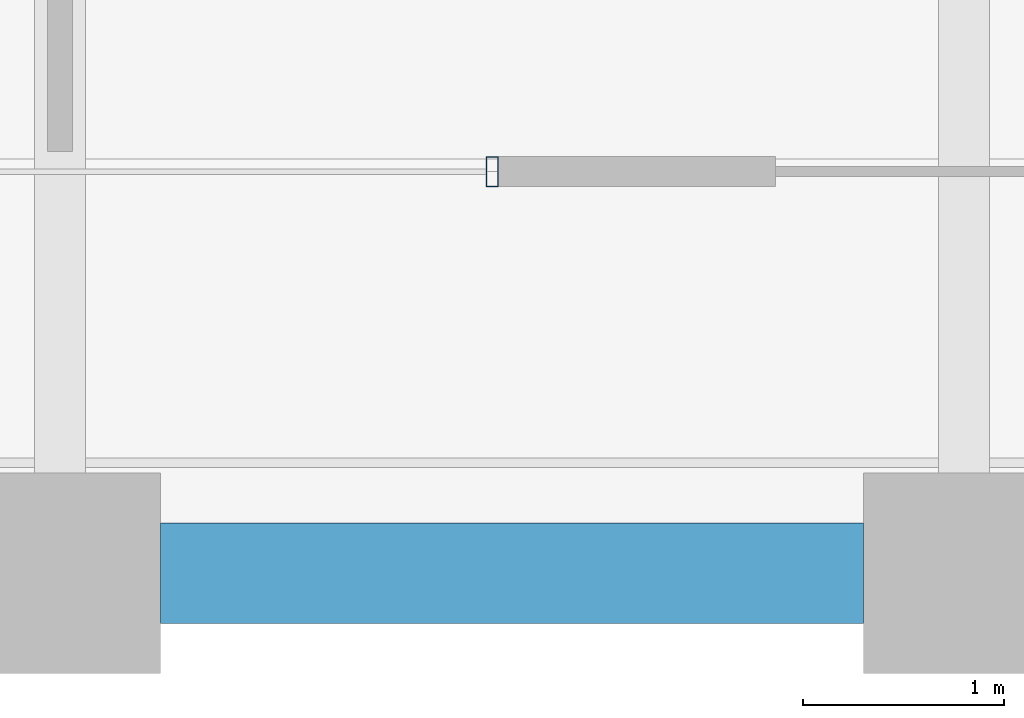
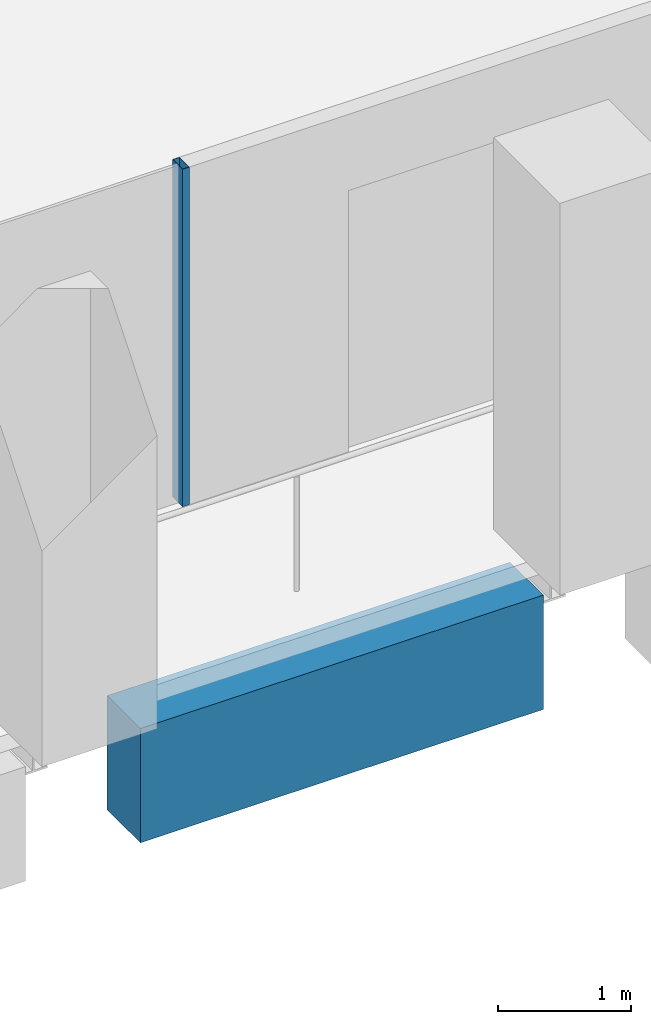
# One storey, part 7 of 47: 1 beam, 1 member, 1 element without a shape of its own.
"""IFC4 building model written with IfcOpenShell, lengths in metres."""

from ifc_helpers import new_model, si_unit, direction, frame, origin, origin_2d, place, context, subcontext, project, spatial, rectangle, hollow_rectangle, extrude, material, material_profile, profile_set, type_object, element, aggregate, save


model = new_model("IFC4")

# Units and contexts
model_context = context("Model", 3, precision=1e-05, world=origin(), true_north=direction((0.0, 1.0)))
body_context = subcontext(model_context, "Body", "Model", "MODEL_VIEW")
ifc_project = project(units=[si_unit("LENGTHUNIT", "METRE"), si_unit("AREAUNIT", "SQUARE_METRE"), si_unit("VOLUMEUNIT", "CUBIC_METRE"), si_unit("PLANEANGLEUNIT", "RADIAN"), si_unit("MASSUNIT", "GRAM", prefix="KILO")], contexts=[model_context])

# Site, building, storey
site_placement = place(None, origin())
site = spatial("IfcSite", under=ifc_project, at=site_placement, CompositionType="ELEMENT")
building_placement = place(site_placement, origin())
building = spatial("IfcBuilding", under=site, at=building_placement, Name="Altepetl Exchange Towers", CompositionType="ELEMENT")
storey_placement = place(building_placement, frame((0.0, 0.0, 99.199951171875)))
storey = spatial("IfcBuildingStorey", under=building, at=storey_placement, Name="L24", CompositionType="ELEMENT", Elevation=99.199951171875)

# Curtain wall, member
ifc_material_1 = material(Name="Aluminium 6063-T6 glazing", Category="aluminium")
curtain_wall_type = type_object("IfcCurtainWallType", Name="Loggia glazing system", PredefinedType="NOTDEFINED", material=ifc_material_1)
curtain_wall_placement = place(storey_placement, origin())
curtain_wall = element("IfcCurtainWall", 1, at=curtain_wall_placement, inside=storey, type_object=curtain_wall_type, Name="CW1 run", PredefinedType="NOTDEFINED")
ifc_material_2 = material(Name="Aluminium 6063-T6", Category="aluminium")
ifc_material_profile_1 = material_profile(ifc_material_2, hollow_rectangle(XDim=0.06005859375, YDim=0.14990234375, WallThickness=0.0029296875, at=origin_2d()), Name="Mullion 60x150 aluminium")
ifc_profile_set_1 = profile_set([ifc_material_profile_1], Name="Aluminium 6063-T6")
member_type = type_object("IfcMemberType", Name="Mullion 60x150 aluminium", PredefinedType="MULLION", material=ifc_profile_set_1)
member_placement = place(storey_placement, frame((47.152099609375, 29.0, 0.0)))
member = element("IfcMember", 2, at=member_placement, type_object=member_type, Name="MU1 mullion", PredefinedType="MULLION", context=body_context, shape_type="SweptSolid", body=[
    extrude(hollow_rectangle(XDim=0.06005859375, YDim=0.14990234375, WallThickness=0.0029296875, at=origin_2d()), origin(), (0.0, 0.0, 1.0), 3.10009765625),
])
aggregate(curtain_wall, [member])

# Beam
ifc_material_3 = material(Name="Concrete C50/60 precast with cantera blanca facing", Category="concrete")
ifc_material_profile_2 = material_profile(ifc_material_3, rectangle(XDim=0.5, YDim=1.050048828125, at=origin_2d()), Name="500 x 1050")
ifc_profile_set_2 = profile_set([ifc_material_profile_2], Name="Concrete C50/60 precast with cantera blanca facing")
beam_type = type_object("IfcBeamType", Name="Spandrel beam 500x1050 cantera blanca", PredefinedType="SPANDREL", material=ifc_profile_set_2)
beam_placement = place(storey_placement, frame((45.5, 27.0, -0.675048828125), z_axis=(1.0, 0.0, 0.0), x_axis=(0.0, 1.0, 0.0)))
element("IfcBeam", 3, at=beam_placement, inside=storey, type_object=beam_type, Name="sp:A:L24:003", PredefinedType="SPANDREL", context=body_context, shape_type="SweptSolid", body=[
    extrude(rectangle(XDim=0.5, YDim=1.050048828125, at=origin_2d()), origin(), (0.0, 0.0, 1.0), 3.5),
])

save(model, "model.ifc")
